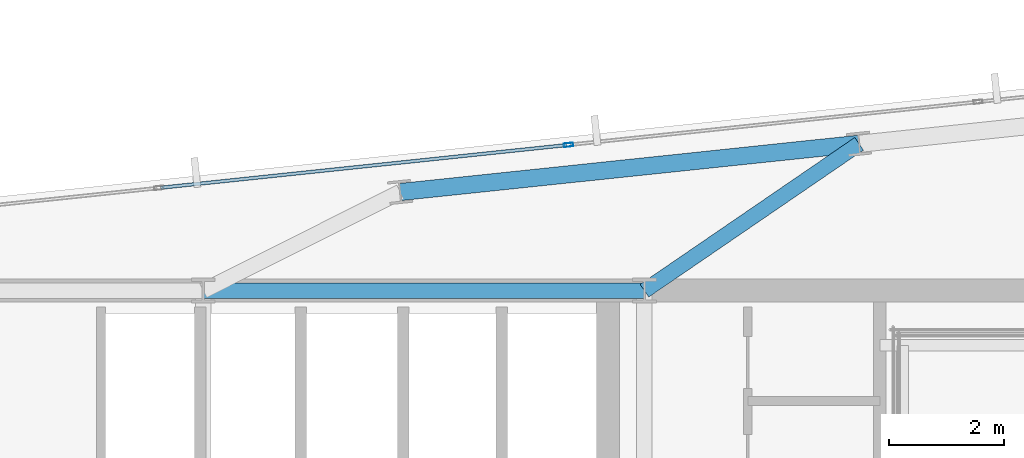
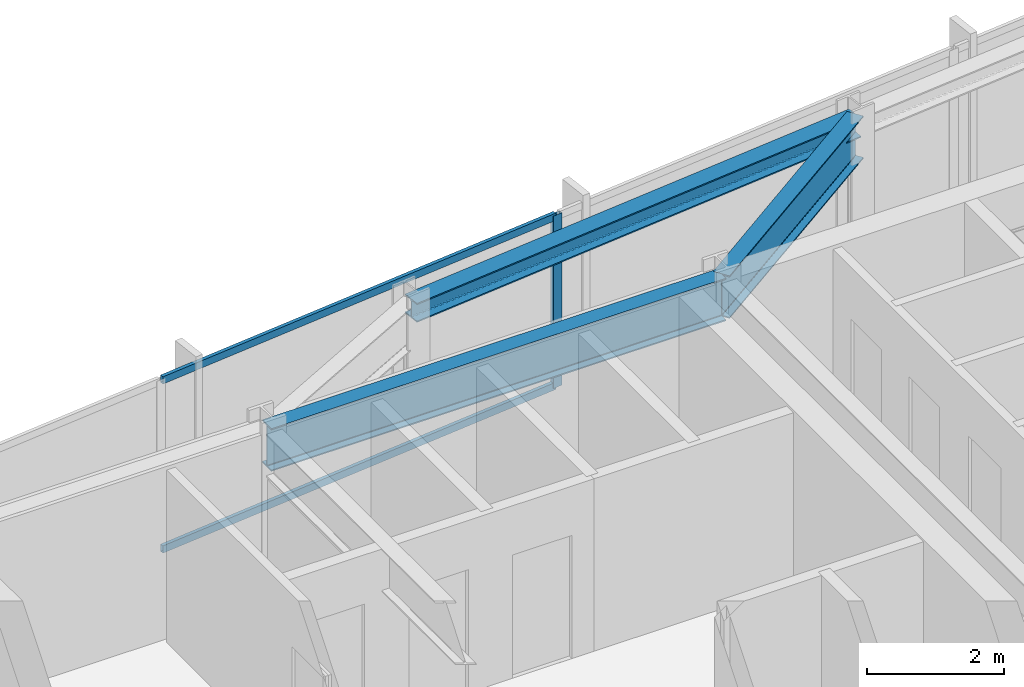
# One storey, part 22 of 32: 3 beams, 3 members, 1 element without a shape of its own.
"""IFC4 building model written with IfcOpenShell, lengths in metres."""

from ifc_helpers import new_model, si_unit, direction, frame, origin, origin_2d, place, context, subcontext, project, spatial, hollow_rectangle, i_section, extrude, material, material_profile, profile_set, type_object, element, aggregate, save


model = new_model("IFC4")

# Units and contexts
model_context = context("Model", 3, precision=1e-05, world=origin(), true_north=direction((0.0, 1.0)))
body_context = subcontext(model_context, "Body", "Model", "MODEL_VIEW")
ifc_project = project(units=[si_unit("LENGTHUNIT", "METRE"), si_unit("AREAUNIT", "SQUARE_METRE"), si_unit("VOLUMEUNIT", "CUBIC_METRE"), si_unit("PLANEANGLEUNIT", "RADIAN"), si_unit("MASSUNIT", "GRAM", prefix="KILO")], contexts=[model_context])

# Site, building, storey
site_placement = place(None, origin())
site = spatial("IfcSite", under=ifc_project, at=site_placement, CompositionType="ELEMENT")
building_placement = place(site_placement, origin())
building = spatial("IfcBuilding", under=site, at=building_placement, Name="Yelkora Congress Tower", CompositionType="ELEMENT")
storey_placement = place(building_placement, frame((0.0, 0.0, 207.800048828125)))
storey = spatial("IfcBuildingStorey", under=building, at=storey_placement, Name="L57", CompositionType="ELEMENT", Elevation=207.800048828125)

# Beams
ifc_material_1 = material(Name="Steel S355J2", Category="steel")
ifc_material_profile_1 = material_profile(ifc_material_1, i_section(OverallWidth=0.26708984375, OverallDepth=0.761962890625, WebThickness=0.014404296875, FlangeThickness=0.021484375, FilletRadius=0.01708984375, at=origin_2d()), Name="IPE 750x173")
ifc_profile_set_1 = profile_set([ifc_material_profile_1], Name="Steel S355J2")
beam_type_1 = type_object("IfcBeamType", Name="BM-GIRD-IPE750", PredefinedType="BEAM", material=ifc_profile_set_1)
beam_1_placement = place(storey_placement, frame((38.39990234375, 46.199951171875, 2.698974609375), z_axis=(1.0, 0.0, 0.0), x_axis=(0.0, 1.0, 0.0)))
element("IfcBeam", 1, at=beam_1_placement, inside=storey, type_object=beam_type_1, Name="L57 Core North Girder 4", PredefinedType="BEAM", context=body_context, shape_type="SweptSolid", body=[
    extrude(i_section(OverallWidth=0.26708984375, OverallDepth=0.761962890625, WebThickness=0.014404296875, FlangeThickness=0.021484375, FilletRadius=0.01708984375, at=origin_2d()), origin(), (0.0, 0.0, 1.0), 7.68017578125),
])
beam_2_placement = place(storey_placement, frame((49.8173828125, 48.757080078125, 2.698974609375), z_axis=(-0.825304616438, -0.564687781067, 0.0), x_axis=(0.564687781067, -0.825304616438, 0.0)))
element("IfcBeam", 2, at=beam_2_placement, inside=storey, type_object=beam_type_1, Name="L57 Primary Frame Girder N05", PredefinedType="BEAM", context=body_context, shape_type="SweptSolid", body=[
    extrude(i_section(OverallWidth=0.26708984375, OverallDepth=0.761962890625, WebThickness=0.014404296875, FlangeThickness=0.021484375, FilletRadius=0.01708984375, at=origin_2d()), origin(), (0.0, 0.0, 1.0), 4.5283203125),
])
ifc_material_profile_2 = material_profile(ifc_material_1, i_section(OverallWidth=0.300048828125, OverallDepth=0.340087890625, WebThickness=0.011962890625, FlangeThickness=0.021484375, FilletRadius=0.027099609375, at=origin_2d()), Name="HEB 340")
ifc_profile_set_2 = profile_set([ifc_material_profile_2], Name="Steel S355J2")
beam_type_2 = type_object("IfcBeamType", Name="BM-SPAN-HEB340", PredefinedType="SPANDREL", material=ifc_profile_set_2)
beam_3_placement = place(storey_placement, frame((49.8173828125, 48.757080078125, 2.909912109375), z_axis=(-0.994523256947, -0.104515507904, 0.0), x_axis=(0.104515507904, -0.994523256947, 0.0)))
element("IfcBeam", 3, at=beam_3_placement, inside=storey, type_object=beam_type_2, Name="L57 Perimeter Beam 15", PredefinedType="SPANDREL", context=body_context, shape_type="SweptSolid", body=[
    extrude(i_section(OverallWidth=0.300048828125, OverallDepth=0.340087890625, WebThickness=0.011962890625, FlangeThickness=0.021484375, FilletRadius=0.027099609375, at=origin_2d()), origin(), (0.0, 0.0, 1.0), 8.033203125),
])

# Curtain wall, members
ifc_material_2 = material(Name="Anodised aluminium and insulated glass", Category="aluminium")
curtain_wall_type = type_object("IfcCurtainWallType", Name="CW-SYS-B4", PredefinedType="NOTDEFINED", material=ifc_material_2)
curtain_wall_placement = place(storey_placement, origin())
curtain_wall = element("IfcCurtainWall", 4, at=curtain_wall_placement, inside=storey, type_object=curtain_wall_type, Name="L57 Unitised Curtain Wall 10 (3)", PredefinedType="NOTDEFINED")
ifc_material_3 = material(Name="Anodised aluminium 6063-T6", Category="aluminium")
ifc_material_profile_3 = material_profile(ifc_material_3, hollow_rectangle(XDim=0.06494140625, YDim=0.159912109375, WallThickness=0.00390625, at=origin_2d()), Name="ALU 65x160x4")
ifc_profile_set_3 = profile_set([ifc_material_profile_3], Name="Anodised aluminium 6063-T6")
member_type_1 = type_object("IfcMemberType", Name="MEM-ML-B4", PredefinedType="MULLION", material=ifc_profile_set_3)
member_1_placement = place(storey_placement, frame((44.75830078125, 48.73828125, 0.0), z_axis=(0.0, 0.0, 1.0), x_axis=(-0.104527724021, 0.994521973066, 0.0)))
member_1 = element("IfcMember", 5, at=member_1_placement, type_object=member_type_1, Name="CW-B4 mullion 4", PredefinedType="MULLION", context=body_context, shape_type="SweptSolid", body=[
    extrude(hollow_rectangle(XDim=0.06494140625, YDim=0.159912109375, WallThickness=0.00390625, at=origin_2d()), origin(), (0.0, 0.0, 1.0), 3.079833984375),
])
ifc_material_profile_4 = material_profile(ifc_material_3, hollow_rectangle(XDim=0.06005859375, YDim=0.1298828125, WallThickness=0.00390625, at=origin_2d()), Name="ALU 60x130x4")
ifc_profile_set_4 = profile_set([ifc_material_profile_4], Name="Anodised aluminium 6063-T6")
member_type_2 = type_object("IfcMemberType", Name="MEM-TR-B4", PredefinedType="USERDEFINED", material=ifc_profile_set_4)
member_2_placement = place(storey_placement, frame((37.659912109375, 47.9921875, 0.030029296875), z_axis=(0.994521633799, 0.104530951904, 0.0), x_axis=(-0.104530951904, 0.994521633799, 0.0)))
member_2 = element("IfcMember", 6, at=member_2_placement, type_object=member_type_2, Name="CW-B4 transom 3.1", ObjectType="TRANSOM", PredefinedType="USERDEFINED", context=body_context, shape_type="SweptSolid", body=[
    extrude(hollow_rectangle(XDim=0.06005859375, YDim=0.1298828125, WallThickness=0.00390625, at=origin_2d()), origin(), (0.0, 0.0, 1.0), 7.104736328125),
])
member_3_placement = place(storey_placement, frame((37.659912109375, 47.9921875, 3.050048828125), z_axis=(0.994521633799, 0.104530951904, 0.0), x_axis=(-0.104530951904, 0.994521633799, 0.0)))
member_3 = element("IfcMember", 7, at=member_3_placement, type_object=member_type_2, Name="CW-B4 transom 3.2", ObjectType="TRANSOM", PredefinedType="USERDEFINED", context=body_context, shape_type="SweptSolid", body=[
    extrude(hollow_rectangle(XDim=0.06005859375, YDim=0.1298828125, WallThickness=0.00390625, at=origin_2d()), origin(), (0.0, 0.0, 1.0), 7.104736328125),
])
aggregate(curtain_wall, [member_1, member_2, member_3])

save(model, "model.ifc")
